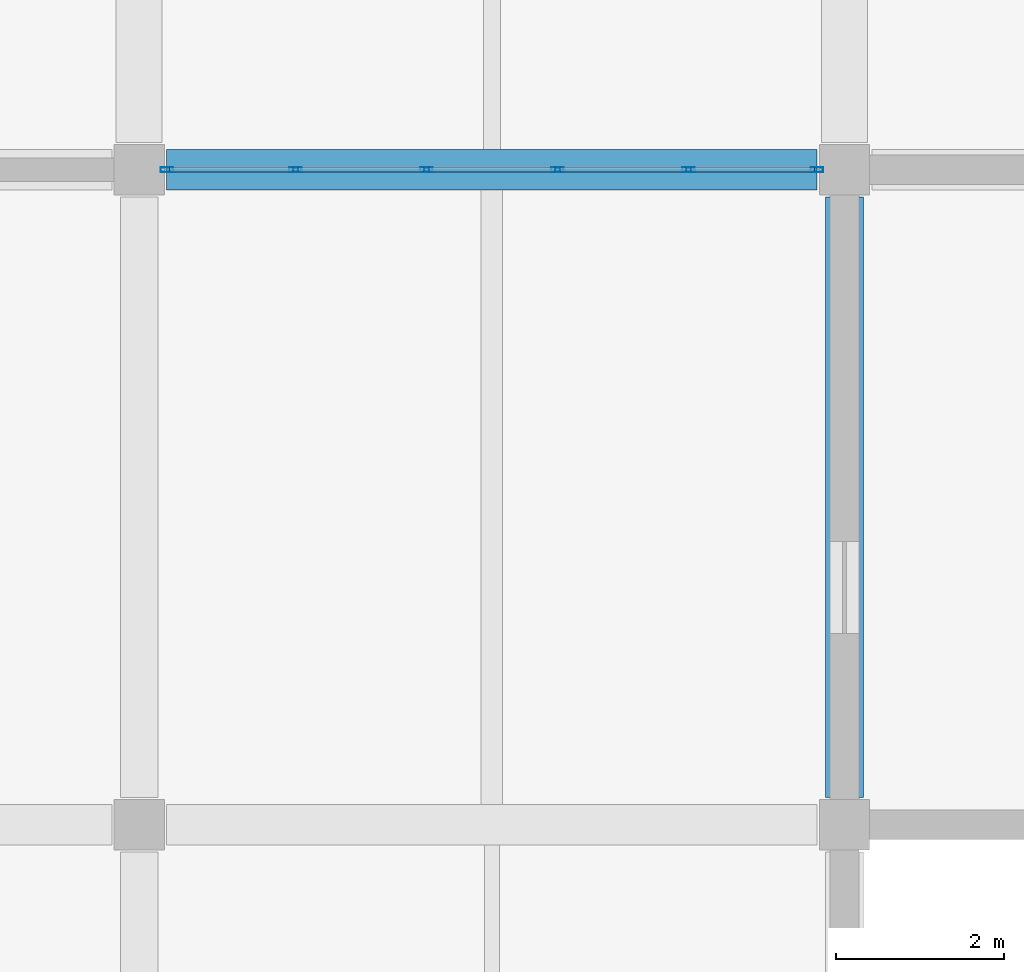
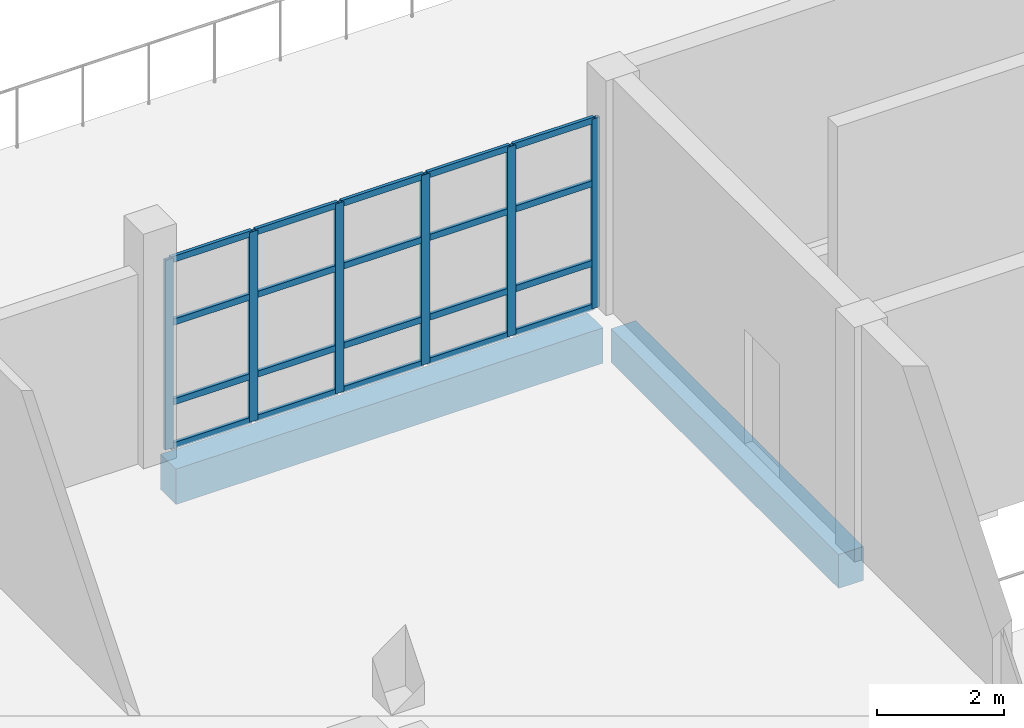
# One storey, part 31 of 71: 26 members, 2 beams, 1 element without a shape of its own.
"""IFC4 building model written with IfcOpenShell, lengths in metres."""

from ifc_helpers import new_model, si_unit, direction, frame, origin, origin_2d, place, context, subcontext, project, spatial, rectangle, hollow_rectangle, extrude, material, material_profile, profile_set, type_object, element, aggregate, save


model = new_model("IFC4")

# Units and contexts
model_context = context("Model", 3, precision=1e-05, world=origin(), true_north=direction((0.0, 1.0)))
body_context = subcontext(model_context, "Body", "Model", "MODEL_VIEW")
ifc_project = project(units=[si_unit("LENGTHUNIT", "METRE"), si_unit("AREAUNIT", "SQUARE_METRE"), si_unit("VOLUMEUNIT", "CUBIC_METRE"), si_unit("PLANEANGLEUNIT", "RADIAN"), si_unit("MASSUNIT", "GRAM", prefix="KILO")], contexts=[model_context])

# Site, building, storey
site_placement = place(None, origin())
site = spatial("IfcSite", under=ifc_project, at=site_placement, CompositionType="ELEMENT")
building_placement = place(site_placement, origin())
building = spatial("IfcBuilding", under=site, at=building_placement, Name="Pellamere Symphony Hall", CompositionType="ELEMENT")
storey_placement = place(building_placement, frame((0.0, 0.0, 15.0)))
storey = spatial("IfcBuildingStorey", under=building, at=storey_placement, Name="L03", CompositionType="ELEMENT", Elevation=15.0)

# Curtain wall, members
ifc_material_1 = material(Name="Thermally Broken Anodised Aluminium 6063-T6 Curtain Wall", Category="aluminium")
curtain_wall_type = type_object("IfcCurtainWallType", Name="Curtain Wall CW-05 (Artists Wing North Studio Ribbon Curtain Wall)", PredefinedType="NOTDEFINED", material=ifc_material_1)
curtain_wall_placement = place(storey_placement, origin())
curtain_wall = element("IfcCurtainWall", 1, at=curtain_wall_placement, inside=storey, type_object=curtain_wall_type, Name="Artists Wing North Studio Curtain Wall (L03 Bay 2)", PredefinedType="NOTDEFINED")
ifc_material_2 = material(Name="Anodised Architectural Aluminium 6063-T6", Category="aluminium")
ifc_material_profile_1 = material_profile(ifc_material_2, hollow_rectangle(XDim=0.06005859375, YDim=0.14990234375, WallThickness=0.00390625, at=origin_2d()), Name="ALU-M60X150X4")
ifc_profile_set_1 = profile_set([ifc_material_profile_1], Name="Anodised Architectural Aluminium 6063-T6")
member_type_1 = type_object("IfcMemberType", Name="Curtain Wall Mullion ML-03 ALU-M60X150X4", PredefinedType="MULLION", material=ifc_profile_set_1)
member_1_placement = place(storey_placement, frame((156.330078125, 85.199951171875, 0.0), z_axis=(0.0, 0.0, 1.0), x_axis=(0.0, 1.0, 0.0)))
member_1 = element("IfcMember", 2, at=member_1_placement, type_object=member_type_1, Name="CW5-141 crystal mullion 1", PredefinedType="MULLION", context=body_context, shape_type="SweptSolid", body=[
    extrude(hollow_rectangle(XDim=0.06005859375, YDim=0.14990234375, WallThickness=0.00390625, at=origin_2d()), origin(), (0.0, 0.0, 1.0), 3.639892578125),
])
member_2_placement = place(storey_placement, frame((157.860107421875, 85.199951171875, 0.0), z_axis=(0.0, 0.0, 1.0), x_axis=(0.0, 1.0, 0.0)))
member_2 = element("IfcMember", 3, at=member_2_placement, type_object=member_type_1, Name="CW5-141 crystal mullion 2", PredefinedType="MULLION", context=body_context, shape_type="SweptSolid", body=[
    extrude(hollow_rectangle(XDim=0.06005859375, YDim=0.14990234375, WallThickness=0.00390625, at=origin_2d()), origin(), (0.0, 0.0, 1.0), 3.639892578125),
])
member_3_placement = place(storey_placement, frame((159.419921875, 85.199951171875, 0.0), z_axis=(0.0, 0.0, 1.0), x_axis=(0.0, 1.0, 0.0)))
member_3 = element("IfcMember", 4, at=member_3_placement, type_object=member_type_1, Name="CW5-141 crystal mullion 3", PredefinedType="MULLION", context=body_context, shape_type="SweptSolid", body=[
    extrude(hollow_rectangle(XDim=0.06005859375, YDim=0.14990234375, WallThickness=0.00390625, at=origin_2d()), origin(), (0.0, 0.0, 1.0), 3.639892578125),
])
member_4_placement = place(storey_placement, frame((160.97998046875, 85.199951171875, 0.0), z_axis=(0.0, 0.0, 1.0), x_axis=(0.0, 1.0, 0.0)))
member_4 = element("IfcMember", 5, at=member_4_placement, type_object=member_type_1, Name="CW5-141 crystal mullion 4", PredefinedType="MULLION", context=body_context, shape_type="SweptSolid", body=[
    extrude(hollow_rectangle(XDim=0.06005859375, YDim=0.14990234375, WallThickness=0.00390625, at=origin_2d()), origin(), (0.0, 0.0, 1.0), 3.639892578125),
])
member_5_placement = place(storey_placement, frame((162.5400390625, 85.199951171875, 0.0), z_axis=(0.0, 0.0, 1.0), x_axis=(0.0, 1.0, 0.0)))
member_5 = element("IfcMember", 6, at=member_5_placement, type_object=member_type_1, Name="CW5-141 crystal mullion 5", PredefinedType="MULLION", context=body_context, shape_type="SweptSolid", body=[
    extrude(hollow_rectangle(XDim=0.06005859375, YDim=0.14990234375, WallThickness=0.00390625, at=origin_2d()), origin(), (0.0, 0.0, 1.0), 3.639892578125),
])
member_6_placement = place(storey_placement, frame((164.070068359375, 85.199951171875, 0.0), z_axis=(0.0, 0.0, 1.0), x_axis=(0.0, 1.0, 0.0)))
member_6 = element("IfcMember", 7, at=member_6_placement, type_object=member_type_1, Name="CW5-141 crystal mullion 6", PredefinedType="MULLION", context=body_context, shape_type="SweptSolid", body=[
    extrude(hollow_rectangle(XDim=0.06005859375, YDim=0.14990234375, WallThickness=0.00390625, at=origin_2d()), origin(), (0.0, 0.0, 1.0), 3.639892578125),
])
ifc_material_profile_2 = material_profile(ifc_material_2, hollow_rectangle(XDim=0.06005859375, YDim=0.1201171875, WallThickness=0.00390625, at=origin_2d()), Name="ALU-T60X120X4")
ifc_profile_set_2 = profile_set([ifc_material_profile_2], Name="Anodised Architectural Aluminium 6063-T6")
member_type_2 = type_object("IfcMemberType", Name="Curtain Wall Transom TR-03 ALU-T60X120X4", PredefinedType="USERDEFINED", material=ifc_profile_set_2)
member_7_placement = place(storey_placement, frame((156.360107421875, 85.199951171875, 0.030029296875), z_axis=(1.0, 0.0, 0.0), x_axis=(0.0, 1.0, 0.0)))
member_7 = element("IfcMember", 8, at=member_7_placement, type_object=member_type_2, Name="CW5-141 crystal transom 1.1", ObjectType="TRANSOM", PredefinedType="USERDEFINED", context=body_context, shape_type="SweptSolid", body=[
    extrude(hollow_rectangle(XDim=0.06005859375, YDim=0.1201171875, WallThickness=0.00390625, at=origin_2d()), origin(), (0.0, 0.0, 1.0), 1.469970703125),
])
member_8_placement = place(storey_placement, frame((156.360107421875, 85.199951171875, 0.87353515625), z_axis=(1.0, 0.0, 0.0), x_axis=(0.0, 1.0, 0.0)))
member_8 = element("IfcMember", 9, at=member_8_placement, type_object=member_type_2, Name="CW5-141 crystal transom 1.2", ObjectType="TRANSOM", PredefinedType="USERDEFINED", context=body_context, shape_type="SweptSolid", body=[
    extrude(hollow_rectangle(XDim=0.06005859375, YDim=0.1201171875, WallThickness=0.00390625, at=origin_2d()), origin(), (0.0, 0.0, 1.0), 1.469970703125),
])
member_9_placement = place(storey_placement, frame((156.360107421875, 85.199951171875, 2.40234375), z_axis=(1.0, 0.0, 0.0), x_axis=(0.0, 1.0, 0.0)))
member_9 = element("IfcMember", 10, at=member_9_placement, type_object=member_type_2, Name="CW5-141 crystal transom 1.3", ObjectType="TRANSOM", PredefinedType="USERDEFINED", context=body_context, shape_type="SweptSolid", body=[
    extrude(hollow_rectangle(XDim=0.06005859375, YDim=0.1201171875, WallThickness=0.00390625, at=origin_2d()), origin(), (0.0, 0.0, 1.0), 1.469970703125),
])
member_10_placement = place(storey_placement, frame((156.360107421875, 85.199951171875, 3.610107421875), z_axis=(1.0, 0.0, 0.0), x_axis=(0.0, 1.0, 0.0)))
member_10 = element("IfcMember", 11, at=member_10_placement, type_object=member_type_2, Name="CW5-141 crystal transom 1.4", ObjectType="TRANSOM", PredefinedType="USERDEFINED", context=body_context, shape_type="SweptSolid", body=[
    extrude(hollow_rectangle(XDim=0.06005859375, YDim=0.1201171875, WallThickness=0.00390625, at=origin_2d()), origin(), (0.0, 0.0, 1.0), 1.469970703125),
])
member_11_placement = place(storey_placement, frame((157.889892578125, 85.199951171875, 0.030029296875), z_axis=(1.0, 0.0, 0.0), x_axis=(0.0, 1.0, 0.0)))
member_11 = element("IfcMember", 12, at=member_11_placement, type_object=member_type_2, Name="CW5-141 crystal transom 2.1", ObjectType="TRANSOM", PredefinedType="USERDEFINED", context=body_context, shape_type="SweptSolid", body=[
    extrude(hollow_rectangle(XDim=0.06005859375, YDim=0.1201171875, WallThickness=0.00390625, at=origin_2d()), origin(), (0.0, 0.0, 1.0), 1.5),
])
member_12_placement = place(storey_placement, frame((157.889892578125, 85.199951171875, 0.87353515625), z_axis=(1.0, 0.0, 0.0), x_axis=(0.0, 1.0, 0.0)))
member_12 = element("IfcMember", 13, at=member_12_placement, type_object=member_type_2, Name="CW5-141 crystal transom 2.2", ObjectType="TRANSOM", PredefinedType="USERDEFINED", context=body_context, shape_type="SweptSolid", body=[
    extrude(hollow_rectangle(XDim=0.06005859375, YDim=0.1201171875, WallThickness=0.00390625, at=origin_2d()), origin(), (0.0, 0.0, 1.0), 1.5),
])
member_13_placement = place(storey_placement, frame((157.889892578125, 85.199951171875, 2.40234375), z_axis=(1.0, 0.0, 0.0), x_axis=(0.0, 1.0, 0.0)))
member_13 = element("IfcMember", 14, at=member_13_placement, type_object=member_type_2, Name="CW5-141 crystal transom 2.3", ObjectType="TRANSOM", PredefinedType="USERDEFINED", context=body_context, shape_type="SweptSolid", body=[
    extrude(hollow_rectangle(XDim=0.06005859375, YDim=0.1201171875, WallThickness=0.00390625, at=origin_2d()), origin(), (0.0, 0.0, 1.0), 1.5),
])
member_14_placement = place(storey_placement, frame((157.889892578125, 85.199951171875, 3.610107421875), z_axis=(1.0, 0.0, 0.0), x_axis=(0.0, 1.0, 0.0)))
member_14 = element("IfcMember", 15, at=member_14_placement, type_object=member_type_2, Name="CW5-141 crystal transom 2.4", ObjectType="TRANSOM", PredefinedType="USERDEFINED", context=body_context, shape_type="SweptSolid", body=[
    extrude(hollow_rectangle(XDim=0.06005859375, YDim=0.1201171875, WallThickness=0.00390625, at=origin_2d()), origin(), (0.0, 0.0, 1.0), 1.5),
])
member_15_placement = place(storey_placement, frame((159.449951171875, 85.199951171875, 0.030029296875), z_axis=(1.0, 0.0, 0.0), x_axis=(0.0, 1.0, 0.0)))
member_15 = element("IfcMember", 16, at=member_15_placement, type_object=member_type_2, Name="CW5-141 crystal transom 3.1", ObjectType="TRANSOM", PredefinedType="USERDEFINED", context=body_context, shape_type="SweptSolid", body=[
    extrude(hollow_rectangle(XDim=0.06005859375, YDim=0.1201171875, WallThickness=0.00390625, at=origin_2d()), origin(), (0.0, 0.0, 1.0), 1.5),
])
member_16_placement = place(storey_placement, frame((159.449951171875, 85.199951171875, 0.87353515625), z_axis=(1.0, 0.0, 0.0), x_axis=(0.0, 1.0, 0.0)))
member_16 = element("IfcMember", 17, at=member_16_placement, type_object=member_type_2, Name="CW5-141 crystal transom 3.2", ObjectType="TRANSOM", PredefinedType="USERDEFINED", context=body_context, shape_type="SweptSolid", body=[
    extrude(hollow_rectangle(XDim=0.06005859375, YDim=0.1201171875, WallThickness=0.00390625, at=origin_2d()), origin(), (0.0, 0.0, 1.0), 1.5),
])
member_17_placement = place(storey_placement, frame((159.449951171875, 85.199951171875, 2.40234375), z_axis=(1.0, 0.0, 0.0), x_axis=(0.0, 1.0, 0.0)))
member_17 = element("IfcMember", 18, at=member_17_placement, type_object=member_type_2, Name="CW5-141 crystal transom 3.3", ObjectType="TRANSOM", PredefinedType="USERDEFINED", context=body_context, shape_type="SweptSolid", body=[
    extrude(hollow_rectangle(XDim=0.06005859375, YDim=0.1201171875, WallThickness=0.00390625, at=origin_2d()), origin(), (0.0, 0.0, 1.0), 1.5),
])
member_18_placement = place(storey_placement, frame((159.449951171875, 85.199951171875, 3.610107421875), z_axis=(1.0, 0.0, 0.0), x_axis=(0.0, 1.0, 0.0)))
member_18 = element("IfcMember", 19, at=member_18_placement, type_object=member_type_2, Name="CW5-141 crystal transom 3.4", ObjectType="TRANSOM", PredefinedType="USERDEFINED", context=body_context, shape_type="SweptSolid", body=[
    extrude(hollow_rectangle(XDim=0.06005859375, YDim=0.1201171875, WallThickness=0.00390625, at=origin_2d()), origin(), (0.0, 0.0, 1.0), 1.5),
])
member_19_placement = place(storey_placement, frame((161.010009765625, 85.199951171875, 0.030029296875), z_axis=(1.0, 0.0, 0.0), x_axis=(0.0, 1.0, 0.0)))
member_19 = element("IfcMember", 20, at=member_19_placement, type_object=member_type_2, Name="CW5-141 crystal transom 4.1", ObjectType="TRANSOM", PredefinedType="USERDEFINED", context=body_context, shape_type="SweptSolid", body=[
    extrude(hollow_rectangle(XDim=0.06005859375, YDim=0.1201171875, WallThickness=0.00390625, at=origin_2d()), origin(), (0.0, 0.0, 1.0), 1.5),
])
member_20_placement = place(storey_placement, frame((161.010009765625, 85.199951171875, 0.87353515625), z_axis=(1.0, 0.0, 0.0), x_axis=(0.0, 1.0, 0.0)))
member_20 = element("IfcMember", 21, at=member_20_placement, type_object=member_type_2, Name="CW5-141 crystal transom 4.2", ObjectType="TRANSOM", PredefinedType="USERDEFINED", context=body_context, shape_type="SweptSolid", body=[
    extrude(hollow_rectangle(XDim=0.06005859375, YDim=0.1201171875, WallThickness=0.00390625, at=origin_2d()), origin(), (0.0, 0.0, 1.0), 1.5),
])
member_21_placement = place(storey_placement, frame((161.010009765625, 85.199951171875, 2.40234375), z_axis=(1.0, 0.0, 0.0), x_axis=(0.0, 1.0, 0.0)))
member_21 = element("IfcMember", 22, at=member_21_placement, type_object=member_type_2, Name="CW5-141 crystal transom 4.3", ObjectType="TRANSOM", PredefinedType="USERDEFINED", context=body_context, shape_type="SweptSolid", body=[
    extrude(hollow_rectangle(XDim=0.06005859375, YDim=0.1201171875, WallThickness=0.00390625, at=origin_2d()), origin(), (0.0, 0.0, 1.0), 1.5),
])
member_22_placement = place(storey_placement, frame((161.010009765625, 85.199951171875, 3.610107421875), z_axis=(1.0, 0.0, 0.0), x_axis=(0.0, 1.0, 0.0)))
member_22 = element("IfcMember", 23, at=member_22_placement, type_object=member_type_2, Name="CW5-141 crystal transom 4.4", ObjectType="TRANSOM", PredefinedType="USERDEFINED", context=body_context, shape_type="SweptSolid", body=[
    extrude(hollow_rectangle(XDim=0.06005859375, YDim=0.1201171875, WallThickness=0.00390625, at=origin_2d()), origin(), (0.0, 0.0, 1.0), 1.5),
])
member_23_placement = place(storey_placement, frame((162.570068359375, 85.199951171875, 0.030029296875), z_axis=(1.0, 0.0, 0.0), x_axis=(0.0, 1.0, 0.0)))
member_23 = element("IfcMember", 24, at=member_23_placement, type_object=member_type_2, Name="CW5-141 crystal transom 5.1", ObjectType="TRANSOM", PredefinedType="USERDEFINED", context=body_context, shape_type="SweptSolid", body=[
    extrude(hollow_rectangle(XDim=0.06005859375, YDim=0.1201171875, WallThickness=0.00390625, at=origin_2d()), origin(), (0.0, 0.0, 1.0), 1.469970703125),
])
member_24_placement = place(storey_placement, frame((162.570068359375, 85.199951171875, 0.87353515625), z_axis=(1.0, 0.0, 0.0), x_axis=(0.0, 1.0, 0.0)))
member_24 = element("IfcMember", 25, at=member_24_placement, type_object=member_type_2, Name="CW5-141 crystal transom 5.2", ObjectType="TRANSOM", PredefinedType="USERDEFINED", context=body_context, shape_type="SweptSolid", body=[
    extrude(hollow_rectangle(XDim=0.06005859375, YDim=0.1201171875, WallThickness=0.00390625, at=origin_2d()), origin(), (0.0, 0.0, 1.0), 1.469970703125),
])
member_25_placement = place(storey_placement, frame((162.570068359375, 85.199951171875, 2.40234375), z_axis=(1.0, 0.0, 0.0), x_axis=(0.0, 1.0, 0.0)))
member_25 = element("IfcMember", 26, at=member_25_placement, type_object=member_type_2, Name="CW5-141 crystal transom 5.3", ObjectType="TRANSOM", PredefinedType="USERDEFINED", context=body_context, shape_type="SweptSolid", body=[
    extrude(hollow_rectangle(XDim=0.06005859375, YDim=0.1201171875, WallThickness=0.00390625, at=origin_2d()), origin(), (0.0, 0.0, 1.0), 1.469970703125),
])
member_26_placement = place(storey_placement, frame((162.570068359375, 85.199951171875, 3.610107421875), z_axis=(1.0, 0.0, 0.0), x_axis=(0.0, 1.0, 0.0)))
member_26 = element("IfcMember", 27, at=member_26_placement, type_object=member_type_2, Name="CW5-141 crystal transom 5.4", ObjectType="TRANSOM", PredefinedType="USERDEFINED", context=body_context, shape_type="SweptSolid", body=[
    extrude(hollow_rectangle(XDim=0.06005859375, YDim=0.1201171875, WallThickness=0.00390625, at=origin_2d()), origin(), (0.0, 0.0, 1.0), 1.469970703125),
])
aggregate(curtain_wall, [member_1, member_2, member_3, member_4, member_5, member_6, member_7, member_8, member_9, member_10, member_11, member_12, member_13, member_14, member_15, member_16, member_17, member_18, member_19, member_20, member_21, member_22, member_23, member_24, member_25, member_26])

# Beams
ifc_material_3 = material(Name="Concrete 40 MPa", Category="concrete")
ifc_material_profile_3 = material_profile(ifc_material_3, rectangle(XDim=0.449951171875, YDim=0.64990234375, at=origin_2d()), Name="RC 450x650")
ifc_profile_set_3 = profile_set([ifc_material_profile_3], Name="Concrete 40 MPa")
beam_type_1 = type_object("IfcBeamType", Name="RC CB-08 450x650", PredefinedType="BEAM", material=ifc_profile_set_3)
beam_1_placement = place(storey_placement, frame((164.39990234375, 77.72509765625, -0.5849609375), z_axis=(0.0, 1.0, 0.0), x_axis=(-1.0, 0.0, 0.0)))
element("IfcBeam", 28, at=beam_1_placement, inside=storey, type_object=beam_type_1, Name="Girder CB-08-Y1704 (L03)", PredefinedType="BEAM", context=body_context, shape_type="SweptSolid", body=[
    extrude(rectangle(XDim=0.449951171875, YDim=0.64990234375, at=origin_2d()), origin(), (0.0, 0.0, 1.0), 7.14990234375),
])
ifc_material_profile_4 = material_profile(ifc_material_3, rectangle(XDim=0.47998046875, YDim=0.679931640625, at=origin_2d()), Name="RC 480x680")
ifc_profile_set_4 = profile_set([ifc_material_profile_4], Name="Concrete 40 MPa")
beam_type_2 = type_object("IfcBeamType", Name="RC CB-19 480x680", PredefinedType="BEAM", material=ifc_profile_set_4)
beam_2_placement = place(storey_placement, frame((156.324951171875, 85.199951171875, -0.60009765625), z_axis=(1.0, 0.0, 0.0), x_axis=(0.0, 1.0, 0.0)))
element("IfcBeam", 29, at=beam_2_placement, inside=storey, type_object=beam_type_2, Name="Girder CB-19-X1592 (L03)", PredefinedType="BEAM", context=body_context, shape_type="SweptSolid", body=[
    extrude(rectangle(XDim=0.47998046875, YDim=0.679931640625, at=origin_2d()), origin(), (0.0, 0.0, 1.0), 7.75),
])

save(model, "model.ifc")
